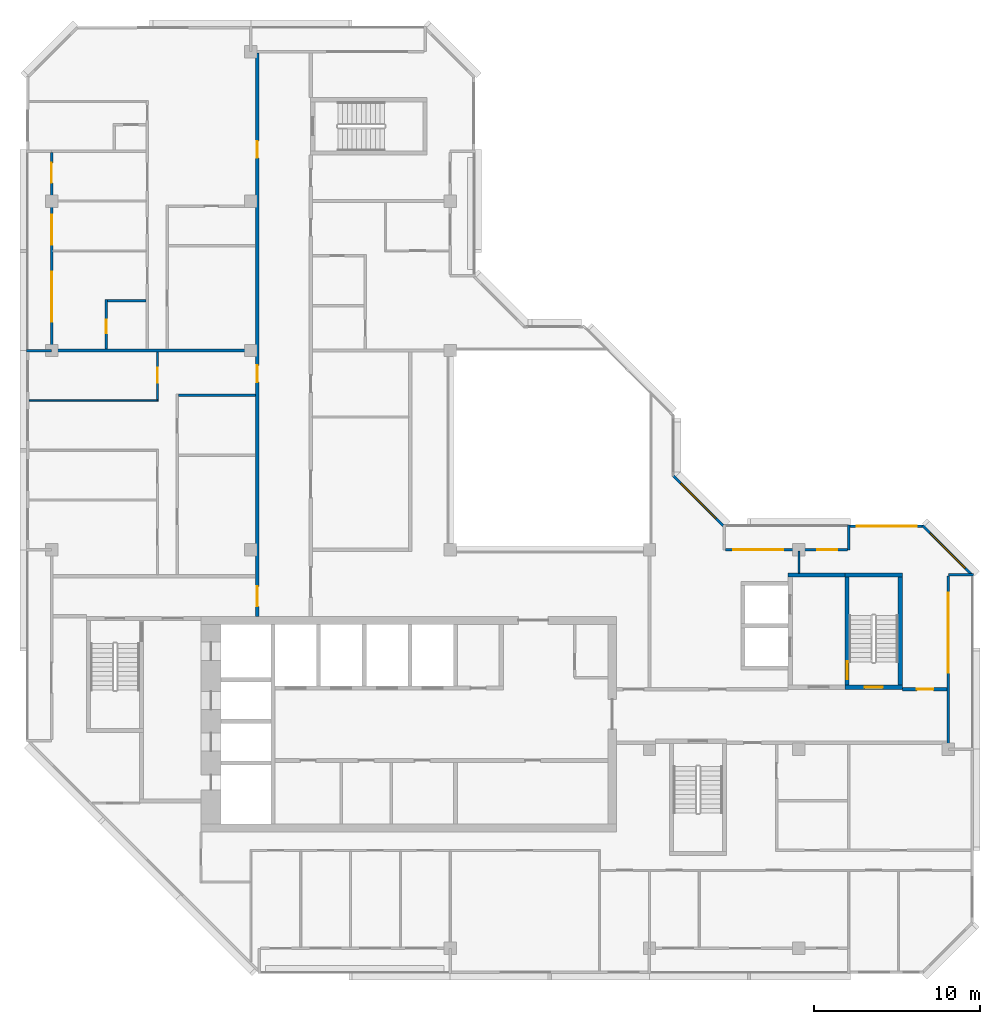
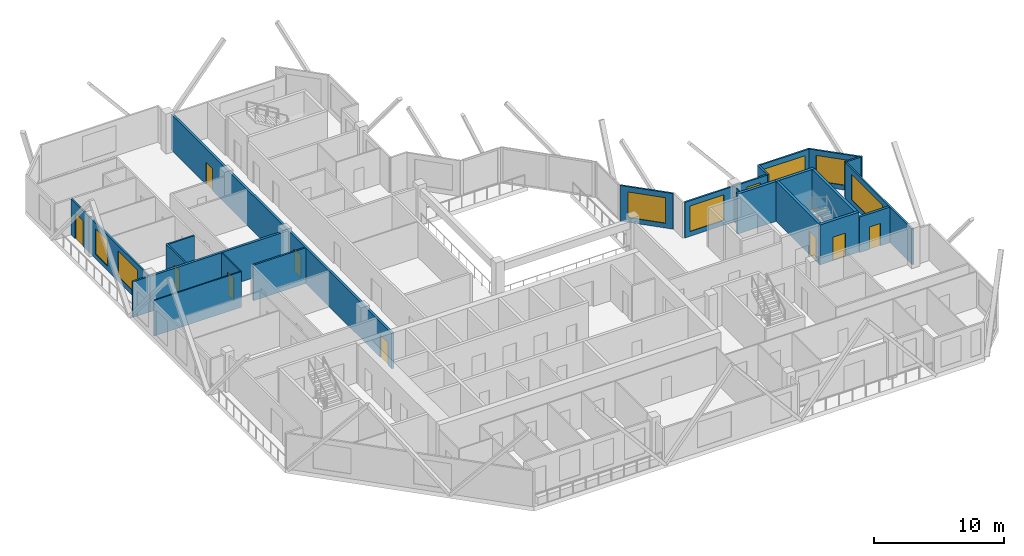
# One storey, part 7 of 11: 23 walls, 9 doors, 8 windows, 17 openings.
"""IFC4 building model written with IfcOpenShell, lengths in metres."""

from ifc_helpers import new_model, si_unit, direction, frame, frame_2d, origin, place, context, subcontext, project, spatial, rectangle, extrude, material, layer, layer_set, type_object, element, fill, save


model = new_model("IFC4")

# Units and contexts
model_context = context("Model", 3, precision=1e-05, world=origin(), true_north=direction((0.0, 1.0)))
body_context = subcontext(model_context, "Body", "Model", "MODEL_VIEW")
ifc_project = project(units=[si_unit("LENGTHUNIT", "METRE"), si_unit("AREAUNIT", "SQUARE_METRE"), si_unit("VOLUMEUNIT", "CUBIC_METRE"), si_unit("PLANEANGLEUNIT", "RADIAN"), si_unit("MASSUNIT", "GRAM", prefix="KILO")], contexts=[model_context])

# Site, building, storey
site_placement = place(None, origin())
site = spatial("IfcSite", under=ifc_project, at=site_placement, CompositionType="ELEMENT")
building_placement = place(site_placement, origin())
building = spatial("IfcBuilding", under=site, at=building_placement, Name="Chenar Terraces", CompositionType="ELEMENT")
storey_placement = place(building_placement, frame((0.0, 0.0, 376.39990234375)))
storey = spatial("IfcBuildingStorey", under=building, at=storey_placement, Name="L88", CompositionType="ELEMENT", Elevation=376.39990234375)

# Wall, opening, door
ifc_material_1 = material(Name="Concrete C50/60", Category="concrete")
ifc_layer_1 = layer(ifc_material_1, 0.25)
ifc_layer_set_1 = layer_set([ifc_layer_1], Name="Concrete C50/60")
wall_type_1 = type_object("IfcWallType", Name="Core wall 250 Concrete C50/60", PredefinedType="SHEAR", material=ifc_layer_set_1)
wall_1_placement = place(storey_placement, frame((47.77490234375, 15.72509765625, 0.0), z_axis=(0.0, 0.0, 1.0), x_axis=(1.0, 0.0, 0.0)))
wall_1 = element("IfcWall", 1, at=wall_1_placement, inside=storey, type_object=wall_type_1, Name="Core wall ST3_S L88", PredefinedType="SHEAR", context=body_context, shape_type="SweptSolid", body=[
    extrude(rectangle(XDim=3.4501953125, YDim=0.25, at=frame_2d((1.72509765625, 0.0))), origin(), (0.0, 0.0, 1.0), 3.75),
])
opening_1_placement = place(wall_1_placement, frame((1.175048828125, 0.0, 0.0)))
opening_1 = element("IfcOpeningElement", 2, at=opening_1_placement, cuts=wall_1, Name="Opening DL88-C8", PredefinedType="OPENING", context=body_context, shape_type="SweptSolid", body=[
    extrude(rectangle(XDim=1.10009765625, YDim=2.199951171875, at=frame_2d((0.550048828125, 1.10009765625))), frame((0.0, 0.135009765625, 0.0), z_axis=(0.0, -1.0, 0.0), x_axis=(1.0, 0.0, 0.0)), (0.0, 0.0, 1.0), 0.27001953125),
])
ifc_material_2 = material(Name="Steel-framed fire-resisting door leaf", Category="steel")
door_type_1 = type_object("IfcDoorType", Name="Stair fire door FD60 1100 x 2200", OperationType="SINGLE_SWING_LEFT", PredefinedType="DOOR", material=ifc_material_2)
door_1_placement = place(opening_1_placement, frame((1.10009765625, 0.0, 0.0), z_axis=(0.0, 0.0, 1.0), x_axis=(-1.0, 0.0, 0.0)))
door_1 = element("IfcDoor", 3, at=door_1_placement, inside=storey, type_object=door_type_1, Name="Stair door DL88-C8", OperationType="SINGLE_SWING_LEFT", OverallHeight=2.199951171875, OverallWidth=1.10009765625, PredefinedType="DOOR", context=body_context, shape_type="SweptSolid", body=[
    extrude(rectangle(XDim=1.10009765625, YDim=2.199951171875, at=frame_2d((0.550048828125, 1.10009765625))), frame((0.0, 0.02490234375, 0.0), z_axis=(0.0, -1.0, 0.0), x_axis=(1.0, 0.0, 0.0)), (0.0, 0.0, 1.0), 0.050048828125),
])
fill(opening_1, door_1)

# Wall
wall_2_placement = place(storey_placement, frame((47.77490234375, 22.47509765625, 0.0), z_axis=(0.0, 0.0, 1.0), x_axis=(1.0, 0.0, 0.0)))
element("IfcWall", 4, at=wall_2_placement, inside=storey, type_object=wall_type_1, Name="Core wall ST3_N L88", PredefinedType="SHEAR", context=body_context, shape_type="SweptSolid", body=[
    extrude(rectangle(XDim=3.4501953125, YDim=0.25, at=frame_2d((1.72509765625, 0.0))), origin(), (0.0, 0.0, 1.0), 3.75),
])

# Wall, opening, door
wall_3_placement = place(storey_placement, frame((47.89990234375, 15.85009765625, 0.0), z_axis=(0.0, 0.0, 1.0), x_axis=(0.0, 1.0, 0.0)))
wall_3 = element("IfcWall", 5, at=wall_3_placement, inside=storey, type_object=wall_type_1, Name="Core wall ST3_W L88", PredefinedType="SHEAR", context=body_context, shape_type="SweptSolid", body=[
    extrude(rectangle(XDim=6.5, YDim=0.25, at=frame_2d((3.25, 0.0))), origin(), (0.0, 0.0, 1.0), 3.75),
])
opening_2_placement = place(wall_3_placement, frame((0.35009765625, 0.0, 0.0)))
opening_2 = element("IfcOpeningElement", 6, at=opening_2_placement, cuts=wall_3, Name="Opening DL88-C11", PredefinedType="OPENING", context=body_context, shape_type="SweptSolid", body=[
    extrude(rectangle(XDim=1.10009765625, YDim=2.199951171875, at=frame_2d((0.550048828125, 1.10009765625))), frame((0.0, 0.135009765625, 0.0), z_axis=(0.0, -1.0, 0.0), x_axis=(1.0, 0.0, 0.0)), (0.0, 0.0, 1.0), 0.27001953125),
])
door_2_placement = place(opening_2_placement, frame((1.10009765625, 0.0, 0.0), z_axis=(0.0, 0.0, 1.0), x_axis=(-1.0, 0.0, 0.0)))
door_2 = element("IfcDoor", 7, at=door_2_placement, inside=storey, type_object=door_type_1, Name="Stair door DL88-C11", OperationType="SINGLE_SWING_RIGHT", OverallHeight=2.199951171875, OverallWidth=1.10009765625, PredefinedType="DOOR", context=body_context, shape_type="SweptSolid", body=[
    extrude(rectangle(XDim=1.10009765625, YDim=2.199951171875, at=frame_2d((0.550048828125, 1.10009765625))), frame((0.0, 0.02490234375, 0.0), z_axis=(0.0, -1.0, 0.0), x_axis=(1.0, 0.0, 0.0)), (0.0, 0.0, 1.0), 0.050048828125),
])
fill(opening_2, door_2)

# Walls
wall_4_placement = place(storey_placement, frame((51.10009765625, 15.85009765625, 0.0), z_axis=(0.0, 0.0, 1.0), x_axis=(0.0, 1.0, 0.0)))
element("IfcWall", 8, at=wall_4_placement, inside=storey, type_object=wall_type_1, Name="Core wall ST3_E L88", PredefinedType="SHEAR", context=body_context, shape_type="SweptSolid", body=[
    extrude(rectangle(XDim=6.5, YDim=0.25, at=frame_2d((3.25, 0.0))), origin(), (0.0, 0.0, 1.0), 3.75),
])
wall_5_placement = place(storey_placement, frame((44.35009765625, 22.47509765625, 0.0), z_axis=(0.0, 0.0, 1.0), x_axis=(1.0, 0.0, 0.0)))
element("IfcWall", 9, at=wall_5_placement, inside=storey, type_object=wall_type_1, Name="Core wall F3_LN L88", PredefinedType="SHEAR", context=body_context, shape_type="SweptSolid", body=[
    extrude(rectangle(XDim=3.4248046875, YDim=0.25, at=frame_2d((1.71240234375, 0.0))), origin(), (0.0, 0.0, 1.0), 3.75),
])

# Wall, openings, doors
ifc_material_3 = material(Name="Gypsum board on steel studs with fire boards", Category="steel")
ifc_layer_2 = layer(ifc_material_3, 0.199951171875)
ifc_layer_set_2 = layer_set([ifc_layer_2], Name="Gypsum board on steel studs with fire boards")
wall_type_2 = type_object("IfcWallType", Name="Corridor wall 200", PredefinedType="PARTITIONING", material=ifc_layer_set_2)
wall_6_placement = place(storey_placement, frame((12.375, 20.0, 0.0), z_axis=(0.0, 0.0, 1.0), x_axis=(0.0, 1.0, 0.0)))
wall_6 = element("IfcWall", 10, at=wall_6_placement, inside=storey, type_object=wall_type_2, Name="Partition L88-029", PredefinedType="PARTITIONING", context=body_context, shape_type="SweptSolid", body=[
    extrude(rectangle(XDim=33.926025390625, YDim=0.199951171875, at=frame_2d((16.962890625, 0.0))), origin(), (0.0, 0.0, 1.0), 3.35009765625),
])
opening_3_placement = place(wall_6_placement, frame((27.60009765625, 0.0, 0.0)))
opening_3 = element("IfcOpeningElement", 11, at=opening_3_placement, cuts=wall_6, Name="Opening DL88-13", PredefinedType="OPENING", context=body_context, shape_type="SweptSolid", body=[
    extrude(rectangle(XDim=1.0, YDim=2.10009765625, at=frame_2d((0.5, 1.050048828125))), frame((0.0, 0.10986328125, 0.0), z_axis=(0.0, -1.0, 0.0), x_axis=(1.0, 0.0, 0.0)), (0.0, 0.0, 1.0), 0.219970703125),
])
opening_4_placement = place(wall_6_placement, frame((0.60009765625, 0.0, 0.0)))
opening_4 = element("IfcOpeningElement", 12, at=opening_4_placement, cuts=wall_6, Name="Opening DL88-19", PredefinedType="OPENING", context=body_context, shape_type="SweptSolid", body=[
    extrude(rectangle(XDim=1.199951171875, YDim=2.10009765625, at=frame_2d((0.60009765625, 1.050048828125))), frame((0.0, 0.10986328125, 0.0), z_axis=(0.0, -1.0, 0.0), x_axis=(1.0, 0.0, 0.0)), (0.0, 0.0, 1.0), 0.219970703125),
])
opening_5_placement = place(wall_6_placement, frame((14.10009765625, 0.0, 0.0)))
opening_5 = element("IfcOpeningElement", 13, at=opening_5_placement, cuts=wall_6, Name="Opening DL88-43", PredefinedType="OPENING", context=body_context, shape_type="SweptSolid", body=[
    extrude(rectangle(XDim=1.0, YDim=2.10009765625, at=frame_2d((0.5, 1.050048828125))), frame((0.0, 0.10986328125, 0.0), z_axis=(0.0, -1.0, 0.0), x_axis=(1.0, 0.0, 0.0)), (0.0, 0.0, 1.0), 0.219970703125),
])
ifc_material_4 = material(Name="Steel-framed fire-resisting door leaf", Category="steel")
door_type_2 = type_object("IfcDoorType", Name="Fire door FD30S 1000 x 2100", OperationType="SINGLE_SWING_LEFT", PredefinedType="DOOR", material=ifc_material_4)
door_3_placement = place(opening_3_placement, origin())
door_3 = element("IfcDoor", 14, at=door_3_placement, inside=storey, type_object=door_type_2, Name="Door DL88-13", OperationType="SINGLE_SWING_RIGHT", OverallHeight=2.10009765625, OverallWidth=1.0, PredefinedType="DOOR", context=body_context, shape_type="SweptSolid", body=[
    extrude(rectangle(XDim=1.0, YDim=2.10009765625, at=frame_2d((0.5, 1.050048828125))), frame((0.0, 0.02490234375, 0.0), z_axis=(0.0, -1.0, 0.0), x_axis=(1.0, 0.0, 0.0)), (0.0, 0.0, 1.0), 0.050048828125),
])
fill(opening_3, door_3)
door_4_placement = place(opening_5_placement, origin())
door_4 = element("IfcDoor", 15, at=door_4_placement, inside=storey, type_object=door_type_2, Name="Door DL88-43", OperationType="SINGLE_SWING_RIGHT", OverallHeight=2.10009765625, OverallWidth=1.0, PredefinedType="DOOR", context=body_context, shape_type="SweptSolid", body=[
    extrude(rectangle(XDim=1.0, YDim=2.10009765625, at=frame_2d((0.5, 1.050048828125))), frame((0.0, 0.02490234375, 0.0), z_axis=(0.0, -1.0, 0.0), x_axis=(1.0, 0.0, 0.0)), (0.0, 0.0, 1.0), 0.050048828125),
])
fill(opening_5, door_4)
ifc_material_5 = material(Name="Steel-framed fire-resisting door leaf", Category="steel")
door_type_3 = type_object("IfcDoorType", Name="Fire door FD30S 1200 x 2100", OperationType="SINGLE_SWING_LEFT", PredefinedType="DOOR", material=ifc_material_5)
door_5_placement = place(opening_4_placement, origin())
door_5 = element("IfcDoor", 16, at=door_5_placement, inside=storey, type_object=door_type_3, Name="Door DL88-19", OperationType="SINGLE_SWING_RIGHT", OverallHeight=2.10009765625, OverallWidth=1.199951171875, PredefinedType="DOOR", context=body_context, shape_type="SweptSolid", body=[
    extrude(rectangle(XDim=1.199951171875, YDim=2.10009765625, at=frame_2d((0.60009765625, 1.050048828125))), frame((0.0, 0.02490234375, 0.0), z_axis=(0.0, -1.0, 0.0), x_axis=(1.0, 0.0, 0.0)), (0.0, 0.0, 1.0), 0.050048828125),
])
fill(opening_4, door_5)

# Wall, opening, door
wall_7_placement = place(storey_placement, frame((51.22509765625, 15.60009765625, 0.0), z_axis=(0.0, 0.0, 1.0), x_axis=(1.0, 0.0, 0.0)))
wall_7 = element("IfcWall", 17, at=wall_7_placement, inside=storey, type_object=wall_type_2, Name="Partition L88-061", PredefinedType="PARTITIONING", context=body_context, shape_type="SweptSolid", body=[
    extrude(rectangle(XDim=2.700927734375, YDim=0.199951171875, at=frame_2d((1.3505859375, 0.0))), origin(), (0.0, 0.0, 1.0), 3.35009765625),
])
opening_6_placement = place(wall_7_placement, frame((0.875, 0.0, 0.0)))
opening_6 = element("IfcOpeningElement", 18, at=opening_6_placement, cuts=wall_7, Name="Opening DL88-20", PredefinedType="OPENING", context=body_context, shape_type="SweptSolid", body=[
    extrude(rectangle(XDim=1.0, YDim=2.10009765625, at=frame_2d((0.5, 1.050048828125))), frame((0.0, 0.10986328125, 0.0), z_axis=(0.0, -1.0, 0.0), x_axis=(1.0, 0.0, 0.0)), (0.0, 0.0, 1.0), 0.219970703125),
])
ifc_material_6 = material(Name="Steel-framed fire-resisting door leaf", Category="steel")
door_type_4 = type_object("IfcDoorType", Name="Fire door FD60 1000 x 2100", OperationType="SINGLE_SWING_LEFT", PredefinedType="DOOR", material=ifc_material_6)
door_6_placement = place(opening_6_placement, origin())
door_6 = element("IfcDoor", 19, at=door_6_placement, inside=storey, type_object=door_type_4, Name="Door DL88-20", OperationType="SINGLE_SWING_RIGHT", OverallHeight=2.10009765625, OverallWidth=1.0, PredefinedType="DOOR", context=body_context, shape_type="SweptSolid", body=[
    extrude(rectangle(XDim=1.0, YDim=2.10009765625, at=frame_2d((0.5, 1.050048828125))), frame((0.0, 0.02490234375, 0.0), z_axis=(0.0, -1.0, 0.0), x_axis=(1.0, 0.0, 0.0)), (0.0, 0.0, 1.0), 0.050048828125),
])
fill(opening_6, door_6)

# Wall, opening, window
ifc_material_7 = material(Name="Aluminium framed glazing", Category="aluminium")
ifc_layer_3 = layer(ifc_material_7, 0.14990234375)
ifc_layer_set_3 = layer_set([ifc_layer_3], Name="Aluminium framed glazing")
wall_type_3 = type_object("IfcWallType", Name="Glazed flush facade wall 150", PredefinedType="SOLIDWALL", material=ifc_layer_set_3)
wall_8_placement = place(storey_placement, frame((52.5, 25.425048828125, 0.0), z_axis=(0.0, 0.0, 1.0), x_axis=(-1.0, 0.0, 0.0)))
wall_8 = element("IfcWall", 20, at=wall_8_placement, inside=storey, type_object=wall_type_3, Name="Glazed flush facade wall", PredefinedType="SOLIDWALL", context=body_context, shape_type="SweptSolid", body=[
    extrude(rectangle(XDim=4.425048828125, YDim=0.14990234375, at=frame_2d((2.21240234375, 0.0))), origin(), (0.0, 0.0, 1.0), 3.35009765625),
])
opening_7_placement = place(wall_8_placement, frame((0.41259765625, 0.0, 0.449951171875)))
opening_7 = element("IfcOpeningElement", 21, at=opening_7_placement, cuts=wall_8, Name="Opening W360x240", PredefinedType="OPENING", context=body_context, shape_type="SweptSolid", body=[
    extrude(rectangle(XDim=3.60009765625, YDim=2.39990234375, at=frame_2d((1.800048828125, 1.199951171875))), frame((0.0, 0.0849609375, 0.0), z_axis=(0.0, -1.0, 0.0), x_axis=(1.0, 0.0, 0.0)), (0.0, 0.0, 1.0), 0.169921875),
])
ifc_material_8 = material(Name="Low emissivity double glazing, aluminium frame", Category="aluminium")
window_type_1 = type_object("IfcWindowType", Name="Fixed light 3600 x 2400", PartitioningType="SINGLE_PANEL", PredefinedType="WINDOW", material=ifc_material_8)
window_1_placement = place(opening_7_placement, origin())
window_1 = element("IfcWindow", 22, at=window_1_placement, inside=storey, type_object=window_type_1, Name="Window", OverallHeight=2.39990234375, OverallWidth=3.60009765625, PartitioningType="SINGLE_PANEL", PredefinedType="WINDOW", context=body_context, shape_type="SweptSolid", body=[
    extrude(rectangle(XDim=3.60009765625, YDim=2.39990234375, at=frame_2d((1.800048828125, 1.199951171875))), frame((0.0, 0.030029296875, 0.0), z_axis=(0.0, -1.0, 0.0), x_axis=(1.0, 0.0, 0.0)), (0.0, 0.0, 1.0), 0.06005859375),
])
fill(opening_7, window_1)

# Wall, openings, windows
ifc_material_9 = material(Name="Aluminium framed glazing", Category="aluminium")
ifc_layer_4 = layer(ifc_material_9, 0.14990234375)
ifc_layer_set_4 = layer_set([ifc_layer_4], Name="Aluminium framed glazing")
wall_type_4 = type_object("IfcWallType", Name="Glazed loggia back wall 150", PredefinedType="SOLIDWALL", material=ifc_layer_set_4)
wall_9_placement = place(storey_placement, frame((47.925048828125, 24.0, 0.0), z_axis=(0.0, 0.0, 1.0), x_axis=(-1.0, 0.0, 0.0)))
wall_9 = element("IfcWall", 23, at=wall_9_placement, inside=storey, type_object=wall_type_4, Name="Glazed loggia back wall", PredefinedType="SOLIDWALL", context=body_context, shape_type="SweptSolid", body=[
    extrude(rectangle(XDim=7.35009765625, YDim=0.14990234375, at=frame_2d((3.675048828125, 0.0))), origin(), (0.0, 0.0, 1.0), 3.35009765625),
])
opening_8_placement = place(wall_9_placement, frame((0.625, 0.0, 0.449951171875)))
opening_8 = element("IfcOpeningElement", 24, at=opening_8_placement, cuts=wall_9, Name="Opening W120x240", PredefinedType="OPENING", context=body_context, shape_type="SweptSolid", body=[
    extrude(rectangle(XDim=1.199951171875, YDim=2.39990234375, at=frame_2d((0.60009765625, 1.199951171875))), frame((0.0, 0.0849609375, 0.0), z_axis=(0.0, -1.0, 0.0), x_axis=(1.0, 0.0, 0.0)), (0.0, 0.0, 1.0), 0.169921875),
])
opening_9_placement = place(wall_9_placement, frame((3.875, 0.0, 0.449951171875)))
opening_9 = element("IfcOpeningElement", 25, at=opening_9_placement, cuts=wall_9, Name="Opening W300x240", PredefinedType="OPENING", context=body_context, shape_type="SweptSolid", body=[
    extrude(rectangle(XDim=3.0, YDim=2.39990234375, at=frame_2d((1.5, 1.199951171875))), frame((0.0, 0.0849609375, 0.0), z_axis=(0.0, -1.0, 0.0), x_axis=(1.0, 0.0, 0.0)), (0.0, 0.0, 1.0), 0.169921875),
])
ifc_material_10 = material(Name="Low emissivity double glazing, aluminium frame", Category="aluminium")
window_type_2 = type_object("IfcWindowType", Name="Fixed light 1200 x 2400", PartitioningType="SINGLE_PANEL", PredefinedType="WINDOW", material=ifc_material_10)
window_2_placement = place(opening_8_placement, origin())
window_2 = element("IfcWindow", 26, at=window_2_placement, inside=storey, type_object=window_type_2, Name="Window", OverallHeight=2.39990234375, OverallWidth=1.199951171875, PartitioningType="SINGLE_PANEL", PredefinedType="WINDOW", context=body_context, shape_type="SweptSolid", body=[
    extrude(rectangle(XDim=1.199951171875, YDim=2.39990234375, at=frame_2d((0.60009765625, 1.199951171875))), frame((0.0, 0.030029296875, 0.0), z_axis=(0.0, -1.0, 0.0), x_axis=(1.0, 0.0, 0.0)), (0.0, 0.0, 1.0), 0.06005859375),
])
fill(opening_8, window_2)
ifc_material_11 = material(Name="Low emissivity double glazing, aluminium frame", Category="aluminium")
window_type_3 = type_object("IfcWindowType", Name="Fixed light 3000 x 2400", PartitioningType="SINGLE_PANEL", PredefinedType="WINDOW", material=ifc_material_11)
window_3_placement = place(opening_9_placement, origin())
window_3 = element("IfcWindow", 27, at=window_3_placement, inside=storey, type_object=window_type_3, Name="Window", OverallHeight=2.39990234375, OverallWidth=3.0, PartitioningType="SINGLE_PANEL", PredefinedType="WINDOW", context=body_context, shape_type="SweptSolid", body=[
    extrude(rectangle(XDim=3.0, YDim=2.39990234375, at=frame_2d((1.5, 1.199951171875))), frame((0.0, 0.030029296875, 0.0), z_axis=(0.0, -1.0, 0.0), x_axis=(1.0, 0.0, 0.0)), (0.0, 0.0, 1.0), 0.06005859375),
])
fill(opening_9, window_3)

# Wall, openings, windows, door
wall_10_placement = place(storey_placement, frame((0.0, 47.925048828125, 0.0), z_axis=(0.0, 0.0, 1.0), x_axis=(0.0, -1.0, 0.0)))
wall_10 = element("IfcWall", 28, at=wall_10_placement, inside=storey, type_object=wall_type_4, Name="Glazed loggia back wall", PredefinedType="SOLIDWALL", context=body_context, shape_type="SweptSolid", body=[
    extrude(rectangle(XDim=11.85009765625, YDim=0.14990234375, at=frame_2d((5.925048828125, 0.0))), origin(), (0.0, 0.0, 1.0), 3.35009765625),
])
opening_10_placement = place(wall_10_placement, frame((0.625, 0.0, 0.0)))
opening_10 = element("IfcOpeningElement", 29, at=opening_10_placement, cuts=wall_10, Name="Opening DL88-G1", PredefinedType="OPENING", context=body_context, shape_type="SweptSolid", body=[
    extrude(rectangle(XDim=1.199951171875, YDim=2.39990234375, at=frame_2d((0.60009765625, 1.199951171875))), frame((0.0, 0.0849609375, 0.0), z_axis=(0.0, -1.0, 0.0), x_axis=(1.0, 0.0, 0.0)), (0.0, 0.0, 1.0), 0.169921875),
])
opening_11_placement = place(wall_10_placement, frame((3.762451171875, 0.0, 0.449951171875)))
opening_11 = element("IfcOpeningElement", 30, at=opening_11_placement, cuts=wall_10, Name="Opening W180x240", PredefinedType="OPENING", context=body_context, shape_type="SweptSolid", body=[
    extrude(rectangle(XDim=1.800048828125, YDim=2.39990234375, at=frame_2d((0.89990234375, 1.199951171875))), frame((0.0, 0.0849609375, 0.0), z_axis=(0.0, -1.0, 0.0), x_axis=(1.0, 0.0, 0.0)), (0.0, 0.0, 1.0), 0.169921875),
])
opening_12_placement = place(wall_10_placement, frame((7.1875, 0.0, 0.449951171875)))
opening_12 = element("IfcOpeningElement", 31, at=opening_12_placement, cuts=wall_10, Name="Opening W300x240", PredefinedType="OPENING", context=body_context, shape_type="SweptSolid", body=[
    extrude(rectangle(XDim=3.0, YDim=2.39990234375, at=frame_2d((1.5, 1.199951171875))), frame((0.0, 0.0849609375, 0.0), z_axis=(0.0, -1.0, 0.0), x_axis=(1.0, 0.0, 0.0)), (0.0, 0.0, 1.0), 0.169921875),
])
ifc_material_12 = material(Name="Low emissivity double glazing, aluminium frame", Category="aluminium")
window_type_4 = type_object("IfcWindowType", Name="Fixed light 1800 x 2400", PartitioningType="SINGLE_PANEL", PredefinedType="WINDOW", material=ifc_material_12)
window_4_placement = place(opening_11_placement, origin())
window_4 = element("IfcWindow", 32, at=window_4_placement, inside=storey, type_object=window_type_4, Name="Window", OverallHeight=2.39990234375, OverallWidth=1.800048828125, PartitioningType="SINGLE_PANEL", PredefinedType="WINDOW", context=body_context, shape_type="SweptSolid", body=[
    extrude(rectangle(XDim=1.800048828125, YDim=2.39990234375, at=frame_2d((0.89990234375, 1.199951171875))), frame((0.0, 0.030029296875, 0.0), z_axis=(0.0, -1.0, 0.0), x_axis=(1.0, 0.0, 0.0)), (0.0, 0.0, 1.0), 0.06005859375),
])
fill(opening_11, window_4)
window_5_placement = place(opening_12_placement, origin())
window_5 = element("IfcWindow", 33, at=window_5_placement, inside=storey, type_object=window_type_3, Name="Window", OverallHeight=2.39990234375, OverallWidth=3.0, PartitioningType="SINGLE_PANEL", PredefinedType="WINDOW", context=body_context, shape_type="SweptSolid", body=[
    extrude(rectangle(XDim=3.0, YDim=2.39990234375, at=frame_2d((1.5, 1.199951171875))), frame((0.0, 0.030029296875, 0.0), z_axis=(0.0, -1.0, 0.0), x_axis=(1.0, 0.0, 0.0)), (0.0, 0.0, 1.0), 0.06005859375),
])
fill(opening_12, window_5)
ifc_material_13 = material(Name="Low emissivity double glazing, aluminium frame", Category="aluminium")
door_type_5 = type_object("IfcDoorType", Name="Loggia glazed double door 1200 x 2400", OperationType="DOUBLE_DOOR_SINGLE_SWING", PredefinedType="DOOR", material=ifc_material_13)
door_7_placement = place(opening_10_placement, frame((1.199951171875, 0.0, 0.0), z_axis=(0.0, 0.0, 1.0), x_axis=(-1.0, 0.0, 0.0)))
door_7 = element("IfcDoor", 34, at=door_7_placement, inside=storey, type_object=door_type_5, Name="Loggia glazed door", OperationType="DOUBLE_DOOR_SINGLE_SWING", OverallHeight=2.39990234375, OverallWidth=1.199951171875, PredefinedType="DOOR", context=body_context, shape_type="SweptSolid", body=[
    extrude(rectangle(XDim=1.199951171875, YDim=2.39990234375, at=frame_2d((0.60009765625, 1.199951171875))), frame((0.0, 0.02490234375, 0.0), z_axis=(0.0, -1.0, 0.0), x_axis=(1.0, 0.0, 0.0)), (0.0, 0.0, 1.0), 0.050048828125),
])
fill(opening_10, door_7)

# Wall, opening, window
wall_11_placement = place(storey_placement, frame((54.0, 12.074951171875, 0.0), z_axis=(0.0, 0.0, 1.0), x_axis=(0.0, 1.0, 0.0)))
wall_11 = element("IfcWall", 35, at=wall_11_placement, inside=storey, type_object=wall_type_4, Name="Glazed loggia back wall", PredefinedType="SOLIDWALL", context=body_context, shape_type="SweptSolid", body=[
    extrude(rectangle(XDim=10.35009765625, YDim=0.14990234375, at=frame_2d((5.175048828125, 0.0))), origin(), (0.0, 0.0, 1.0), 3.35009765625),
])
opening_13_placement = place(wall_11_placement, frame((4.53759765625, 0.0, 0.449951171875)))
opening_13 = element("IfcOpeningElement", 36, at=opening_13_placement, cuts=wall_11, Name="Opening W480x240", PredefinedType="OPENING", context=body_context, shape_type="SweptSolid", body=[
    extrude(rectangle(XDim=4.800048828125, YDim=2.39990234375, at=frame_2d((2.39990234375, 1.199951171875))), frame((0.0, 0.0849609375, 0.0), z_axis=(0.0, -1.0, 0.0), x_axis=(1.0, 0.0, 0.0)), (0.0, 0.0, 1.0), 0.169921875),
])
ifc_material_14 = material(Name="Low emissivity double glazing, aluminium frame", Category="aluminium")
window_type_5 = type_object("IfcWindowType", Name="Fixed light 4800 x 2400", PartitioningType="SINGLE_PANEL", PredefinedType="WINDOW", material=ifc_material_14)
window_6_placement = place(opening_13_placement, origin())
window_6 = element("IfcWindow", 37, at=window_6_placement, inside=storey, type_object=window_type_5, Name="Window", OverallHeight=2.39990234375, OverallWidth=4.800048828125, PartitioningType="SINGLE_PANEL", PredefinedType="WINDOW", context=body_context, shape_type="SweptSolid", body=[
    extrude(rectangle(XDim=4.800048828125, YDim=2.39990234375, at=frame_2d((2.39990234375, 1.199951171875))), frame((0.0, 0.030029296875, 0.0), z_axis=(0.0, -1.0, 0.0), x_axis=(1.0, 0.0, 0.0)), (0.0, 0.0, 1.0), 0.06005859375),
])
fill(opening_13, window_6)

# Wall
ifc_material_15 = material(Name="Gypsum board on steel studs", Category="steel")
ifc_layer_5 = layer(ifc_material_15, 0.10009765625)
ifc_layer_set_5 = layer_set([ifc_layer_5], Name="Gypsum board on steel studs")
wall_type_5 = type_object("IfcWallType", Name="Gypsum partition 100", PredefinedType="PARTITIONING", material=ifc_layer_set_5)
wall_12_placement = place(storey_placement, frame((-1.35009765625, 33.0, 0.0), z_axis=(0.0, 0.0, 1.0), x_axis=(1.0, 0.0, 0.0)))
element("IfcWall", 38, at=wall_12_placement, inside=storey, type_object=wall_type_5, Name="Partition L88-003", PredefinedType="PARTITIONING", context=body_context, shape_type="SweptSolid", body=[
    extrude(rectangle(XDim=7.775146484375, YDim=0.10009765625, at=frame_2d((3.8876953125, 0.0))), origin(), (0.0, 0.0, 1.0), 3.35009765625),
])

# Wall, opening, door
wall_13_placement = place(storey_placement, frame((6.375, 33.050048828125, 0.0), z_axis=(0.0, 0.0, 1.0), x_axis=(0.0, 1.0, 0.0)))
wall_13 = element("IfcWall", 39, at=wall_13_placement, inside=storey, type_object=wall_type_5, Name="Partition L88-018", PredefinedType="PARTITIONING", context=body_context, shape_type="SweptSolid", body=[
    extrude(rectangle(XDim=2.849853515625, YDim=0.10009765625, at=frame_2d((1.4248046875, 0.0))), origin(), (0.0, 0.0, 1.0), 3.35009765625),
])
opening_14_placement = place(wall_13_placement, frame((1.0, 0.0, 0.0)))
opening_14 = element("IfcOpeningElement", 40, at=opening_14_placement, cuts=wall_13, Name="Opening DL88-41", PredefinedType="OPENING", context=body_context, shape_type="SweptSolid", body=[
    extrude(rectangle(XDim=0.89990234375, YDim=2.10009765625, at=frame_2d((0.449951171875, 1.050048828125))), frame((0.0, 0.06005859375, 0.0), z_axis=(0.0, -1.0, 0.0), x_axis=(1.0, 0.0, 0.0)), (0.0, 0.0, 1.0), 0.1201171875),
])
ifc_material_16 = material(Name="Veneered timber door leaf", Category="wood")
door_type_6 = type_object("IfcDoorType", Name="Door 900 x 2100", OperationType="SINGLE_SWING_LEFT", PredefinedType="DOOR", material=ifc_material_16)
door_8_placement = place(opening_14_placement, origin())
door_8 = element("IfcDoor", 41, at=door_8_placement, inside=storey, type_object=door_type_6, Name="Door DL88-41", OperationType="SINGLE_SWING_RIGHT", OverallHeight=2.10009765625, OverallWidth=0.89990234375, PredefinedType="DOOR", context=body_context, shape_type="SweptSolid", body=[
    extrude(rectangle(XDim=0.89990234375, YDim=2.10009765625, at=frame_2d((0.449951171875, 1.050048828125))), frame((0.0, 0.02490234375, 0.0), z_axis=(0.0, -1.0, 0.0), x_axis=(1.0, 0.0, 0.0)), (0.0, 0.0, 1.0), 0.050048828125),
])
fill(opening_14, door_8)

# Walls
wall_14_placement = place(storey_placement, frame((45.0, 22.60009765625, 0.0), z_axis=(0.0, 0.0, 1.0), x_axis=(0.0, 1.0, 0.0)))
element("IfcWall", 42, at=wall_14_placement, inside=storey, type_object=wall_type_5, Name="Partition L88-057", PredefinedType="PARTITIONING", context=body_context, shape_type="SweptSolid", body=[
    extrude(rectangle(XDim=1.325927734375, YDim=0.10009765625, at=frame_2d((0.6630859375, 0.0))), origin(), (0.0, 0.0, 1.0), 3.35009765625),
])
ifc_material_17 = material(Name="Terracotta cladding on insulated backing", Category="masonry")
ifc_layer_6 = layer(ifc_material_17, 0.14990234375)
ifc_layer_set_6 = layer_set([ifc_layer_6], Name="Terracotta cladding on insulated backing")
wall_type_6 = type_object("IfcWallType", Name="Loggia return wall 150", PredefinedType="SOLIDWALL", material=ifc_layer_set_6)
for number, where, z_axis, x_axis, name in (
    (43, (48.0, 25.5, 0.0), (0.0, 0.0, 1.0), (0.0, -1.0, 0.0), "Loggia return wall"),
    (44, (-1.5, 36.0, 0.0), (0.0, 0.0, 1.0), (1.0, 0.0, 0.0), "Loggia return wall"),
    (45, (55.5, 22.5, 0.0), (0.0, 0.0, 1.0), (-1.0, 0.0, 0.0), "Loggia return wall"),
):
    element("IfcWall", number, at=place(storey_placement, frame(where, z_axis=z_axis, x_axis=x_axis)), inside=storey, type_object=wall_type_6, Name=name, PredefinedType="SOLIDWALL", context=body_context, shape_type="SweptSolid", body=[
        extrude(rectangle(XDim=1.5, YDim=0.14990234375, at=frame_2d((0.75, 0.0))), origin(), (0.0, 0.0, 1.0), 3.35009765625),
    ])

# Wall, opening, window
ifc_material_18 = material(Name="Terracotta cladding on insulated backing", Category="masonry")
ifc_layer_7 = layer(ifc_material_18, 0.14990234375)
ifc_layer_set_7 = layer_set([ifc_layer_7], Name="Terracotta cladding on insulated backing")
wall_type_7 = type_object("IfcWallType", Name="Terracotta rainscreen wall 150", PredefinedType="SOLIDWALL", material=ifc_layer_set_7)
wall_15_placement = place(storey_placement, frame((40.447021484375, 25.447021484375, 0.0), z_axis=(0.0, 0.0, 1.0), x_axis=(-0.707106781187, 0.707106781187, 0.0)))
wall_15 = element("IfcWall", 46, at=wall_15_placement, inside=storey, type_object=wall_type_7, Name="Terracotta rainscreen wall", PredefinedType="SOLIDWALL", context=body_context, shape_type="SweptSolid", body=[
    extrude(rectangle(XDim=4.24267578125, YDim=0.14990234375, at=frame_2d((2.121337890625, 0.0))), origin(), (0.0, 0.0, 1.0), 3.35009765625),
])
opening_15_placement = place(wall_15_placement, frame((0.621337890625, 0.0, 0.449951171875)))
opening_15 = element("IfcOpeningElement", 47, at=opening_15_placement, cuts=wall_15, Name="Opening W300x240", PredefinedType="OPENING", context=body_context, shape_type="SweptSolid", body=[
    extrude(rectangle(XDim=3.0, YDim=2.39990234375, at=frame_2d((1.5, 1.199951171875))), frame((0.0, 0.0849609375, 0.0), z_axis=(0.0, -1.0, 0.0), x_axis=(1.0, 0.0, 0.0)), (0.0, 0.0, 1.0), 0.169921875),
])
window_7_placement = place(opening_15_placement, origin())
window_7 = element("IfcWindow", 48, at=window_7_placement, inside=storey, type_object=window_type_3, Name="Window", OverallHeight=2.39990234375, OverallWidth=3.0, PartitioningType="SINGLE_PANEL", PredefinedType="WINDOW", context=body_context, shape_type="SweptSolid", body=[
    extrude(rectangle(XDim=3.0, YDim=2.39990234375, at=frame_2d((1.5, 1.199951171875))), frame((0.0, 0.030029296875, 0.0), z_axis=(0.0, -1.0, 0.0), x_axis=(1.0, 0.0, 0.0)), (0.0, 0.0, 1.0), 0.06005859375),
])
fill(opening_15, window_7)

wall_16_placement = place(storey_placement, frame((55.447021484375, 22.447021484375, 0.0), z_axis=(0.0, 0.0, 1.0), x_axis=(-0.707106781187, 0.707106781187, 0.0)))
wall_16 = element("IfcWall", 49, at=wall_16_placement, inside=storey, type_object=wall_type_7, Name="Terracotta rainscreen wall", PredefinedType="SOLIDWALL", context=body_context, shape_type="SweptSolid", body=[
    extrude(rectangle(XDim=4.24267578125, YDim=0.14990234375, at=frame_2d((2.121337890625, 0.0))), origin(), (0.0, 0.0, 1.0), 3.35009765625),
])
opening_16_placement = place(wall_16_placement, frame((0.621337890625, 0.0, 0.449951171875)))
opening_16 = element("IfcOpeningElement", 50, at=opening_16_placement, cuts=wall_16, Name="Opening W300x240", PredefinedType="OPENING", context=body_context, shape_type="SweptSolid", body=[
    extrude(rectangle(XDim=3.0, YDim=2.39990234375, at=frame_2d((1.5, 1.199951171875))), frame((0.0, 0.0849609375, 0.0), z_axis=(0.0, -1.0, 0.0), x_axis=(1.0, 0.0, 0.0)), (0.0, 0.0, 1.0), 0.169921875),
])
window_8_placement = place(opening_16_placement, origin())
window_8 = element("IfcWindow", 51, at=window_8_placement, inside=storey, type_object=window_type_3, Name="Window", OverallHeight=2.39990234375, OverallWidth=3.0, PartitioningType="SINGLE_PANEL", PredefinedType="WINDOW", context=body_context, shape_type="SweptSolid", body=[
    extrude(rectangle(XDim=3.0, YDim=2.39990234375, at=frame_2d((1.5, 1.199951171875))), frame((0.0, 0.030029296875, 0.0), z_axis=(0.0, -1.0, 0.0), x_axis=(1.0, 0.0, 0.0)), (0.0, 0.0, 1.0), 0.06005859375),
])
fill(opening_16, window_8)

# Wall
ifc_material_19 = material(Name="Twin gypsum board on steel studs with mineral wool", Category="steel")
ifc_layer_8 = layer(ifc_material_19, 0.199951171875)
ifc_layer_set_8 = layer_set([ifc_layer_8], Name="Twin gypsum board on steel studs with mineral wool")
wall_type_8 = type_object("IfcWallType", Name="Unit demising wall 200", PredefinedType="PARTITIONING", material=ifc_layer_set_8)
wall_17_placement = place(storey_placement, frame((0.0, 36.0, 0.0), z_axis=(0.0, 0.0, 1.0), x_axis=(1.0, 0.0, 0.0)))
element("IfcWall", 52, at=wall_17_placement, inside=storey, type_object=wall_type_8, Name="Partition L88-004", PredefinedType="PARTITIONING", context=body_context, shape_type="SweptSolid", body=[
    extrude(rectangle(XDim=12.27490234375, YDim=0.199951171875, at=frame_2d((6.137451171875, 0.0))), origin(), (0.0, 0.0, 1.0), 3.35009765625),
])

# Wall, opening, door
ifc_material_20 = material(Name="Moisture-resistant gypsum board on steel studs", Category="steel")
ifc_layer_9 = layer(ifc_material_20, 0.14990234375)
ifc_layer_set_9 = layer_set([ifc_layer_9], Name="Moisture-resistant gypsum board on steel studs")
wall_type_9 = type_object("IfcWallType", Name="Wet-room partition 150", PredefinedType="PARTITIONING", material=ifc_layer_set_9)
wall_18_placement = place(storey_placement, frame((3.300048828125, 36.10009765625, 0.0), z_axis=(0.0, 0.0, 1.0), x_axis=(0.0, 1.0, 0.0)))
wall_18 = element("IfcWall", 53, at=wall_18_placement, inside=storey, type_object=wall_type_9, Name="Partition L88-012", PredefinedType="PARTITIONING", context=body_context, shape_type="SweptSolid", body=[
    extrude(rectangle(XDim=2.974853515625, YDim=0.14990234375, at=frame_2d((1.4873046875, 0.0))), origin(), (0.0, 0.0, 1.0), 3.35009765625),
])
opening_17_placement = place(wall_18_placement, frame((0.949951171875, 0.0, 0.0)))
opening_17 = element("IfcOpeningElement", 54, at=opening_17_placement, cuts=wall_18, Name="Opening DL88-11", PredefinedType="OPENING", context=body_context, shape_type="SweptSolid", body=[
    extrude(rectangle(XDim=0.800048828125, YDim=2.10009765625, at=frame_2d((0.39990234375, 1.050048828125))), frame((0.0, 0.0849609375, 0.0), z_axis=(0.0, -1.0, 0.0), x_axis=(1.0, 0.0, 0.0)), (0.0, 0.0, 1.0), 0.169921875),
])
ifc_material_21 = material(Name="Veneered timber door leaf", Category="wood")
door_type_7 = type_object("IfcDoorType", Name="Door 800 x 2100", OperationType="SINGLE_SWING_LEFT", PredefinedType="DOOR", material=ifc_material_21)
door_9_placement = place(opening_17_placement, frame((0.800048828125, 0.0, 0.0), z_axis=(0.0, 0.0, 1.0), x_axis=(-1.0, 0.0, 0.0)))
door_9 = element("IfcDoor", 55, at=door_9_placement, inside=storey, type_object=door_type_7, Name="Door DL88-11", OperationType="SINGLE_SWING_RIGHT", OverallHeight=2.10009765625, OverallWidth=0.800048828125, PredefinedType="DOOR", context=body_context, shape_type="SweptSolid", body=[
    extrude(rectangle(XDim=0.800048828125, YDim=2.10009765625, at=frame_2d((0.39990234375, 1.050048828125))), frame((0.0, 0.02490234375, 0.0), z_axis=(0.0, -1.0, 0.0), x_axis=(1.0, 0.0, 0.0)), (0.0, 0.0, 1.0), 0.050048828125),
])
fill(opening_17, door_9)

# Walls
wall_19_placement = place(storey_placement, frame((3.375, 39.0, 0.0), z_axis=(0.0, 0.0, 1.0), x_axis=(1.0, 0.0, 0.0)))
element("IfcWall", 56, at=wall_19_placement, inside=storey, type_object=wall_type_9, Name="Partition L88-013", PredefinedType="PARTITIONING", context=body_context, shape_type="SweptSolid", body=[
    extrude(rectangle(XDim=2.324951171875, YDim=0.14990234375, at=frame_2d((1.16259765625, 0.0))), origin(), (0.0, 0.0, 1.0), 3.35009765625),
])
wall_20_placement = place(storey_placement, frame((7.64990234375, 33.300048828125, 0.0), z_axis=(0.0, 0.0, 1.0), x_axis=(1.0, 0.0, 0.0)))
element("IfcWall", 57, at=wall_20_placement, inside=storey, type_object=wall_type_9, Name="Partition L88-024", PredefinedType="PARTITIONING", context=body_context, shape_type="SweptSolid", body=[
    extrude(rectangle(XDim=4.625, YDim=0.14990234375, at=frame_2d((2.3125, 0.0))), origin(), (0.0, 0.0, 1.0), 3.35009765625),
])

save(model, "model.ifc")
